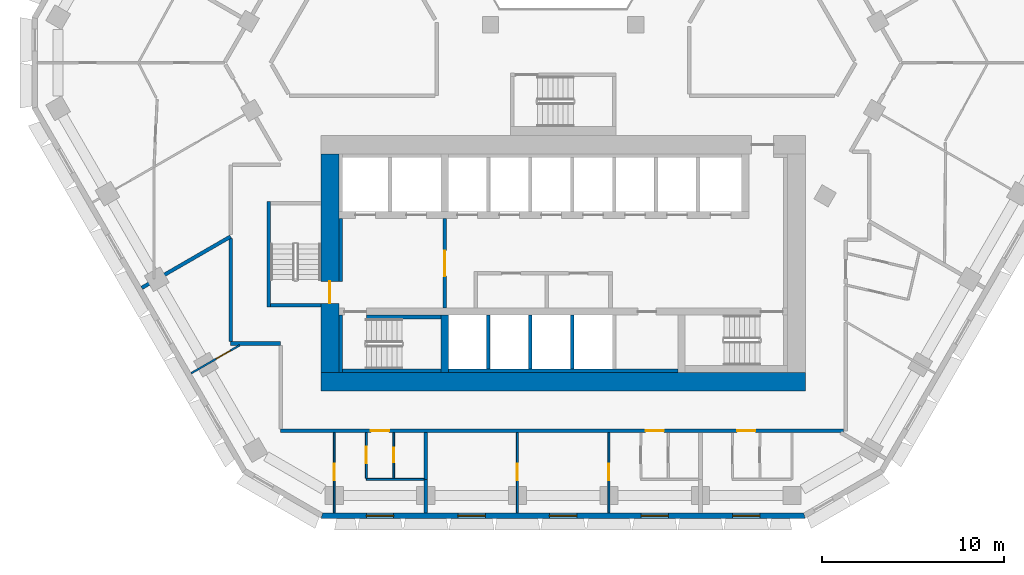
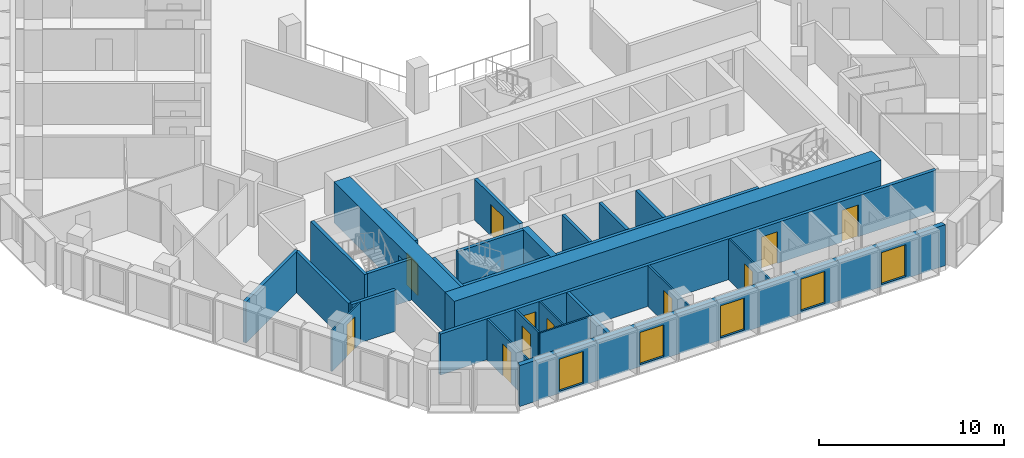
# One storey, part 3 of 15: 28 walls, 11 doors, 5 windows, 16 openings.
"""IFC4 building model written with IfcOpenShell, lengths in metres."""

from ifc_helpers import new_model, si_unit, direction, frame, frame_2d, origin, place, context, subcontext, project, spatial, polyline, rectangle, outline, extrude, material, layer, layer_set, type_object, element, fill, save


model = new_model("IFC4")

# Units and contexts
model_context = context("Model", 3, precision=1e-05, world=origin(), true_north=direction((0.0, 1.0)))
body_context = subcontext(model_context, "Body", "Model", "MODEL_VIEW")
ifc_project = project(units=[si_unit("LENGTHUNIT", "METRE"), si_unit("AREAUNIT", "SQUARE_METRE"), si_unit("VOLUMEUNIT", "CUBIC_METRE"), si_unit("PLANEANGLEUNIT", "RADIAN"), si_unit("MASSUNIT", "GRAM", prefix="KILO")], contexts=[model_context])

# Site, building, storey
site_placement = place(None, origin())
site = spatial("IfcSite", under=ifc_project, at=site_placement, CompositionType="ELEMENT")
building_placement = place(site_placement, origin())
building = spatial("IfcBuilding", under=site, at=building_placement, Name="Beryl Residences", CompositionType="ELEMENT")
storey_placement = place(building_placement, frame((0.0, 0.0, 72.0)))
storey = spatial("IfcBuildingStorey", under=building, at=storey_placement, Name="L21", CompositionType="ELEMENT", Elevation=72.0)

# Wall, openings, windows
ifc_material_1 = material(Name="Composite metal panel with mineral wool insulation")
ifc_layer_1 = layer(ifc_material_1, 0.300048828125)
ifc_layer_set_1 = layer_set([ifc_layer_1], Name="ES1 pale metal composite panel wall 300 mm")
wall_type_1 = type_object("IfcWallType", Name="ES1 pale metal composite panel wall 300 mm", PredefinedType="SOLIDWALL", material=ifc_layer_set_1)
wall_1_placement = place(storey_placement, frame((-13.279052734375, -25.85009765625, 0.0), z_axis=(0.0, 0.0, 1.0), x_axis=(1.0, 0.0, 0.0)))
wall_1 = element("IfcWall", 1, at=wall_1_placement, inside=storey, type_object=wall_type_1, Name="ES1 external wall L21 S", PredefinedType="SOLIDWALL", context=body_context, shape_type="SweptSolid", body=[
    extrude(outline(polyline([(0.0, -0.14990234375), (26.55810546875, -0.14990234375), (26.477783203125, 0.14990234375), (0.080322265625, 0.14990234375), (0.0, -0.14990234375)])), origin(), (0.0, 0.0, 1.0), 2.699951171875),
])
opening_1_placement = place(wall_1_placement, frame((2.48291015625, 0.0, 0.14990234375)))
opening_1 = element("IfcOpeningElement", 2, at=opening_1_placement, cuts=wall_1, Name="Opening W1", PredefinedType="OPENING", context=body_context, shape_type="SweptSolid", body=[
    extrude(rectangle(XDim=1.5, YDim=2.10009765625, at=frame_2d((0.75, 1.050048828125))), frame((0.0, 0.159912109375, 0.0), z_axis=(0.0, -1.0, 0.0), x_axis=(1.0, 0.0, 0.0)), (0.0, 0.0, 1.0), 0.320068359375),
])
opening_2_placement = place(wall_1_placement, frame((7.507080078125, 0.0, 0.14990234375)))
opening_2 = element("IfcOpeningElement", 3, at=opening_2_placement, cuts=wall_1, Name="Opening W1", PredefinedType="OPENING", context=body_context, shape_type="SweptSolid", body=[
    extrude(rectangle(XDim=1.5, YDim=2.10009765625, at=frame_2d((0.75, 1.050048828125))), frame((0.0, 0.159912109375, 0.0), z_axis=(0.0, -1.0, 0.0), x_axis=(1.0, 0.0, 0.0)), (0.0, 0.0, 1.0), 0.320068359375),
])
opening_3_placement = place(wall_1_placement, frame((12.529052734375, 0.0, 0.14990234375)))
opening_3 = element("IfcOpeningElement", 4, at=opening_3_placement, cuts=wall_1, Name="Opening W1", PredefinedType="OPENING", context=body_context, shape_type="SweptSolid", body=[
    extrude(rectangle(XDim=1.5, YDim=2.10009765625, at=frame_2d((0.75, 1.050048828125))), frame((0.0, 0.159912109375, 0.0), z_axis=(0.0, -1.0, 0.0), x_axis=(1.0, 0.0, 0.0)), (0.0, 0.0, 1.0), 0.320068359375),
])
opening_4_placement = place(wall_1_placement, frame((17.552978515625, 0.0, 0.14990234375)))
opening_4 = element("IfcOpeningElement", 5, at=opening_4_placement, cuts=wall_1, Name="Opening W1", PredefinedType="OPENING", context=body_context, shape_type="SweptSolid", body=[
    extrude(rectangle(XDim=1.5, YDim=2.10009765625, at=frame_2d((0.75, 1.050048828125))), frame((0.0, 0.159912109375, 0.0), z_axis=(0.0, -1.0, 0.0), x_axis=(1.0, 0.0, 0.0)), (0.0, 0.0, 1.0), 0.320068359375),
])
opening_5_placement = place(wall_1_placement, frame((22.574951171875, 0.0, 0.14990234375)))
opening_5 = element("IfcOpeningElement", 6, at=opening_5_placement, cuts=wall_1, Name="Opening W1", PredefinedType="OPENING", context=body_context, shape_type="SweptSolid", body=[
    extrude(rectangle(XDim=1.5, YDim=2.10009765625, at=frame_2d((0.75, 1.050048828125))), frame((0.0, 0.159912109375, 0.0), z_axis=(0.0, -1.0, 0.0), x_axis=(1.0, 0.0, 0.0)), (0.0, 0.0, 1.0), 0.320068359375),
])
ifc_material_2 = material(Name="Aluminium and clear glass", Category="aluminium")
window_type = type_object("IfcWindowType", Name="W1 cell window 1500 x 2100 mm", PartitioningType="SINGLE_PANEL", PredefinedType="WINDOW", material=ifc_material_2)
window_1_placement = place(opening_1_placement, origin())
window_1 = element("IfcWindow", 7, at=window_1_placement, inside=storey, type_object=window_type, Name="W1 window L21 S 2", OverallHeight=2.10009765625, OverallWidth=1.5, PartitioningType="SINGLE_PANEL", PredefinedType="WINDOW", context=body_context, shape_type="SweptSolid", body=[
    extrude(rectangle(XDim=1.5, YDim=2.10009765625, at=frame_2d((0.75, 1.050048828125))), frame((0.0, 0.030029296875, 0.0), z_axis=(0.0, -1.0, 0.0), x_axis=(1.0, 0.0, 0.0)), (0.0, 0.0, 1.0), 0.06005859375),
])
fill(opening_1, window_1)
window_2_placement = place(opening_2_placement, origin())
window_2 = element("IfcWindow", 8, at=window_2_placement, inside=storey, type_object=window_type, Name="W1 window L21 S 4", OverallHeight=2.10009765625, OverallWidth=1.5, PartitioningType="SINGLE_PANEL", PredefinedType="WINDOW", context=body_context, shape_type="SweptSolid", body=[
    extrude(rectangle(XDim=1.5, YDim=2.10009765625, at=frame_2d((0.75, 1.050048828125))), frame((0.0, 0.030029296875, 0.0), z_axis=(0.0, -1.0, 0.0), x_axis=(1.0, 0.0, 0.0)), (0.0, 0.0, 1.0), 0.06005859375),
])
fill(opening_2, window_2)
window_3_placement = place(opening_3_placement, origin())
window_3 = element("IfcWindow", 9, at=window_3_placement, inside=storey, type_object=window_type, Name="W1 window L21 S 6", OverallHeight=2.10009765625, OverallWidth=1.5, PartitioningType="SINGLE_PANEL", PredefinedType="WINDOW", context=body_context, shape_type="SweptSolid", body=[
    extrude(rectangle(XDim=1.5, YDim=2.10009765625, at=frame_2d((0.75, 1.050048828125))), frame((0.0, 0.030029296875, 0.0), z_axis=(0.0, -1.0, 0.0), x_axis=(1.0, 0.0, 0.0)), (0.0, 0.0, 1.0), 0.06005859375),
])
fill(opening_3, window_3)
window_4_placement = place(opening_4_placement, origin())
window_4 = element("IfcWindow", 10, at=window_4_placement, inside=storey, type_object=window_type, Name="W1 window L21 S 8", OverallHeight=2.10009765625, OverallWidth=1.5, PartitioningType="SINGLE_PANEL", PredefinedType="WINDOW", context=body_context, shape_type="SweptSolid", body=[
    extrude(rectangle(XDim=1.5, YDim=2.10009765625, at=frame_2d((0.75, 1.050048828125))), frame((0.0, 0.030029296875, 0.0), z_axis=(0.0, -1.0, 0.0), x_axis=(1.0, 0.0, 0.0)), (0.0, 0.0, 1.0), 0.06005859375),
])
fill(opening_4, window_4)
window_5_placement = place(opening_5_placement, origin())
window_5 = element("IfcWindow", 11, at=window_5_placement, inside=storey, type_object=window_type, Name="W1 window L21 S 10", OverallHeight=2.10009765625, OverallWidth=1.5, PartitioningType="SINGLE_PANEL", PredefinedType="WINDOW", context=body_context, shape_type="SweptSolid", body=[
    extrude(rectangle(XDim=1.5, YDim=2.10009765625, at=frame_2d((0.75, 1.050048828125))), frame((0.0, 0.030029296875, 0.0), z_axis=(0.0, -1.0, 0.0), x_axis=(1.0, 0.0, 0.0)), (0.0, 0.0, 1.0), 0.06005859375),
])
fill(opening_5, window_5)

# Wall, opening, door
ifc_material_3 = material(Name="Gypsum board partition on steel studs", Category="steel")
ifc_layer_2 = layer(ifc_material_3, 0.10009765625)
ifc_layer_set_2 = layer_set([ifc_layer_2], Name="PT1 partition 100 mm gypsum board on steel studs")
wall_type_2 = type_object("IfcWallType", Name="PT1 partition 100 mm gypsum board on steel studs", PredefinedType="PARTITIONING", material=ifc_layer_set_2)
wall_2_placement = place(storey_placement, frame((-10.799072265625, -21.300048828125, 0.0), z_axis=(0.0, 0.0, 1.0), x_axis=(0.0, -1.0, 0.0)))
wall_2 = element("IfcWall", 12, at=wall_2_placement, inside=storey, type_object=wall_type_2, Name="Wall PT1 L21 011", PredefinedType="PARTITIONING", context=body_context, shape_type="SweptSolid", body=[
    extrude(rectangle(XDim=2.509033203125, YDim=0.10009765625, at=frame_2d((1.25439453125, 0.0))), origin(), (0.0, 0.0, 1.0), 2.699951171875),
])
opening_6_placement = place(wall_2_placement, frame((0.780029296875, 0.0, 0.0)))
opening_6 = element("IfcOpeningElement", 13, at=opening_6_placement, cuts=wall_2, Name="Opening D0847", PredefinedType="OPENING", context=body_context, shape_type="SweptSolid", body=[
    extrude(rectangle(XDim=0.89990234375, YDim=2.10009765625, at=frame_2d((0.449951171875, 1.050048828125))), frame((0.0, 0.06005859375, 0.0), z_axis=(0.0, -1.0, 0.0), x_axis=(1.0, 0.0, 0.0)), (0.0, 0.0, 1.0), 0.1201171875),
])
ifc_material_4 = material(Name="Timber door leaf", Category="wood")
door_type_1 = type_object("IfcDoorType", Name="D2 room door 900 x 2100 mm", OperationType="SINGLE_SWING_LEFT", PredefinedType="DOOR", material=ifc_material_4)
door_1_placement = place(opening_6_placement, origin())
door_1 = element("IfcDoor", 14, at=door_1_placement, inside=storey, type_object=door_type_1, Name="Door D0847 L21 001", OperationType="SINGLE_SWING_LEFT", OverallHeight=2.10009765625, OverallWidth=0.89990234375, PredefinedType="DOOR", context=body_context, shape_type="SweptSolid", body=[
    extrude(rectangle(XDim=0.89990234375, YDim=2.10009765625, at=frame_2d((0.449951171875, 1.050048828125))), frame((0.0, 0.02490234375, 0.0), z_axis=(0.0, -1.0, 0.0), x_axis=(1.0, 0.0, 0.0)), (0.0, 0.0, 1.0), 0.050048828125),
])
fill(opening_6, door_1)

# Wall
wall_3_placement = place(storey_placement, frame((-10.798095703125, -23.860107421875, 0.0), z_axis=(0.0, 0.0, 1.0), x_axis=(1.0, 0.0, 0.0)))
element("IfcWall", 15, at=wall_3_placement, inside=storey, type_object=wall_type_2, Name="Wall PT1 L21 029", PredefinedType="PARTITIONING", context=body_context, shape_type="SweptSolid", body=[
    extrude(rectangle(XDim=3.1640625, YDim=0.10009765625, at=frame_2d((1.58203125, 0.0))), origin(), (0.0, 0.0, 1.0), 2.699951171875),
])

# Wall, opening, door
wall_4_placement = place(storey_placement, frame((2.511962890625, -25.699951171875, 0.0), z_axis=(0.0, 0.0, 1.0), x_axis=(0.0, 1.0, 0.0)))
wall_4 = element("IfcWall", 16, at=wall_4_placement, inside=storey, type_object=wall_type_2, Name="Wall PT1 L21 052", PredefinedType="PARTITIONING", context=body_context, shape_type="SweptSolid", body=[
    extrude(rectangle(XDim=4.39990234375, YDim=0.10009765625, at=frame_2d((2.199951171875, 0.0))), origin(), (0.0, 0.0, 1.0), 2.699951171875),
])
opening_7_placement = place(wall_4_placement, frame((1.800048828125, 0.0, 0.0)))
opening_7 = element("IfcOpeningElement", 17, at=opening_7_placement, cuts=wall_4, Name="Opening D0854", PredefinedType="OPENING", context=body_context, shape_type="SweptSolid", body=[
    extrude(rectangle(XDim=0.89990234375, YDim=2.10009765625, at=frame_2d((0.449951171875, 1.050048828125))), frame((0.0, 0.06005859375, 0.0), z_axis=(0.0, -1.0, 0.0), x_axis=(1.0, 0.0, 0.0)), (0.0, 0.0, 1.0), 0.1201171875),
])
door_2_placement = place(opening_7_placement, origin())
door_2 = element("IfcDoor", 18, at=door_2_placement, inside=storey, type_object=door_type_1, Name="Door D0854 L21 001", OperationType="SINGLE_SWING_RIGHT", OverallHeight=2.10009765625, OverallWidth=0.89990234375, PredefinedType="DOOR", context=body_context, shape_type="SweptSolid", body=[
    extrude(rectangle(XDim=0.89990234375, YDim=2.10009765625, at=frame_2d((0.449951171875, 1.050048828125))), frame((0.0, 0.02490234375, 0.0), z_axis=(0.0, -1.0, 0.0), x_axis=(1.0, 0.0, 0.0)), (0.0, 0.0, 1.0), 0.050048828125),
])
fill(opening_7, door_2)

wall_5_placement = place(storey_placement, frame((-9.2919921875, -23.81005859375, 0.0), z_axis=(0.0, 0.0, 1.0), x_axis=(0.0, 1.0, 0.0)))
wall_5 = element("IfcWall", 19, at=wall_5_placement, inside=storey, type_object=wall_type_2, Name="Wall PT1 L21 055", PredefinedType="PARTITIONING", context=body_context, shape_type="SweptSolid", body=[
    extrude(rectangle(XDim=2.510009765625, YDim=0.10009765625, at=frame_2d((1.2548828125, 0.0))), origin(), (0.0, 0.0, 1.0), 2.699951171875),
])
opening_8_placement = place(wall_5_placement, frame((0.8798828125, 0.0, 0.0)))
opening_8 = element("IfcOpeningElement", 20, at=opening_8_placement, cuts=wall_5, Name="Opening D0848", PredefinedType="OPENING", context=body_context, shape_type="SweptSolid", body=[
    extrude(rectangle(XDim=0.800048828125, YDim=2.10009765625, at=frame_2d((0.39990234375, 1.050048828125))), frame((0.0, 0.06005859375, 0.0), z_axis=(0.0, -1.0, 0.0), x_axis=(1.0, 0.0, 0.0)), (0.0, 0.0, 1.0), 0.1201171875),
])
ifc_material_5 = material(Name="Timber door leaf", Category="wood")
door_type_2 = type_object("IfcDoorType", Name="D3 bathroom door 800 x 2100 mm", OperationType="SINGLE_SWING_LEFT", PredefinedType="DOOR", material=ifc_material_5)
door_3_placement = place(opening_8_placement, origin())
door_3 = element("IfcDoor", 21, at=door_3_placement, inside=storey, type_object=door_type_2, Name="Door D0848 L21 001", OperationType="SINGLE_SWING_RIGHT", OverallHeight=2.10009765625, OverallWidth=0.800048828125, PredefinedType="DOOR", context=body_context, shape_type="SweptSolid", body=[
    extrude(rectangle(XDim=0.800048828125, YDim=2.10009765625, at=frame_2d((0.39990234375, 1.050048828125))), frame((0.0, 0.02490234375, 0.0), z_axis=(0.0, -1.0, 0.0), x_axis=(1.0, 0.0, 0.0)), (0.0, 0.0, 1.0), 0.050048828125),
])
fill(opening_8, door_3)

wall_6_placement = place(storey_placement, frame((-12.556884765625, -25.699951171875, 0.0), z_axis=(0.0, 0.0, 1.0), x_axis=(0.0, 1.0, 0.0)))
wall_6 = element("IfcWall", 22, at=wall_6_placement, inside=storey, type_object=wall_type_2, Name="Wall PT1 L21 057", PredefinedType="PARTITIONING", context=body_context, shape_type="SweptSolid", body=[
    extrude(rectangle(XDim=4.39990234375, YDim=0.10009765625, at=frame_2d((2.199951171875, 0.0))), origin(), (0.0, 0.0, 1.0), 2.699951171875),
])
opening_9_placement = place(wall_6_placement, frame((1.800048828125, 0.0, 0.0)))
opening_9 = element("IfcOpeningElement", 23, at=opening_9_placement, cuts=wall_6, Name="Opening D0849", PredefinedType="OPENING", context=body_context, shape_type="SweptSolid", body=[
    extrude(rectangle(XDim=0.89990234375, YDim=2.10009765625, at=frame_2d((0.449951171875, 1.050048828125))), frame((0.0, 0.06005859375, 0.0), z_axis=(0.0, -1.0, 0.0), x_axis=(1.0, 0.0, 0.0)), (0.0, 0.0, 1.0), 0.1201171875),
])
door_4_placement = place(opening_9_placement, origin())
door_4 = element("IfcDoor", 24, at=door_4_placement, inside=storey, type_object=door_type_1, Name="Door D0849 L21 001", OperationType="SINGLE_SWING_LEFT", OverallHeight=2.10009765625, OverallWidth=0.89990234375, PredefinedType="DOOR", context=body_context, shape_type="SweptSolid", body=[
    extrude(rectangle(XDim=0.89990234375, YDim=2.10009765625, at=frame_2d((0.449951171875, 1.050048828125))), frame((0.0, 0.02490234375, 0.0), z_axis=(0.0, -1.0, 0.0), x_axis=(1.0, 0.0, 0.0)), (0.0, 0.0, 1.0), 0.050048828125),
])
fill(opening_9, door_4)

wall_7_placement = place(storey_placement, frame((-2.510986328125, -25.699951171875, 0.0), z_axis=(0.0, 0.0, 1.0), x_axis=(0.0, 1.0, 0.0)))
wall_7 = element("IfcWall", 25, at=wall_7_placement, inside=storey, type_object=wall_type_2, Name="Wall PT1 L21 060", PredefinedType="PARTITIONING", context=body_context, shape_type="SweptSolid", body=[
    extrude(rectangle(XDim=4.39990234375, YDim=0.10009765625, at=frame_2d((2.199951171875, 0.0))), origin(), (0.0, 0.0, 1.0), 2.699951171875),
])
opening_10_placement = place(wall_7_placement, frame((1.800048828125, 0.0, 0.0)))
opening_10 = element("IfcOpeningElement", 26, at=opening_10_placement, cuts=wall_7, Name="Opening D0855", PredefinedType="OPENING", context=body_context, shape_type="SweptSolid", body=[
    extrude(rectangle(XDim=0.89990234375, YDim=2.10009765625, at=frame_2d((0.449951171875, 1.050048828125))), frame((0.0, 0.06005859375, 0.0), z_axis=(0.0, -1.0, 0.0), x_axis=(1.0, 0.0, 0.0)), (0.0, 0.0, 1.0), 0.1201171875),
])
door_5_placement = place(opening_10_placement, origin())
door_5 = element("IfcDoor", 27, at=door_5_placement, inside=storey, type_object=door_type_1, Name="Door D0855 L21 001", OperationType="SINGLE_SWING_LEFT", OverallHeight=2.10009765625, OverallWidth=0.89990234375, PredefinedType="DOOR", context=body_context, shape_type="SweptSolid", body=[
    extrude(rectangle(XDim=0.89990234375, YDim=2.10009765625, at=frame_2d((0.449951171875, 1.050048828125))), frame((0.0, 0.02490234375, 0.0), z_axis=(0.0, -1.0, 0.0), x_axis=(1.0, 0.0, 0.0)), (0.0, 0.0, 1.0), 0.050048828125),
])
fill(opening_10, door_5)

wall_8_placement = place(storey_placement, frame((-20.416015625, -18.0380859375, 0.0), z_axis=(0.0, 0.0, 1.0), x_axis=(0.866026989333, 0.499997253739, 0.0)))
wall_8 = element("IfcWall", 28, at=wall_8_placement, inside=storey, type_object=wall_type_2, Name="Wall PT1 L21 063", PredefinedType="PARTITIONING", context=body_context, shape_type="SweptSolid", body=[
    extrude(rectangle(XDim=3.076171875, YDim=0.10009765625, at=frame_2d((1.5380859375, 0.0))), origin(), (0.0, 0.0, 1.0), 2.699951171875),
])
opening_11_placement = place(wall_8_placement, frame((1.587890625, 0.0, 0.0)))
opening_11 = element("IfcOpeningElement", 29, at=opening_11_placement, cuts=wall_8, Name="Opening D0850", PredefinedType="OPENING", context=body_context, shape_type="SweptSolid", body=[
    extrude(rectangle(XDim=0.89990234375, YDim=2.10009765625, at=frame_2d((0.449951171875, 1.050048828125))), frame((0.0, 0.06005859375, 0.0), z_axis=(0.0, -1.0, 0.0), x_axis=(1.0, 0.0, 0.0)), (0.0, 0.0, 1.0), 0.1201171875),
])
door_6_placement = place(opening_11_placement, origin())
door_6 = element("IfcDoor", 30, at=door_6_placement, inside=storey, type_object=door_type_1, Name="Door D0850 L21 001", OperationType="SINGLE_SWING_RIGHT", OverallHeight=2.10009765625, OverallWidth=0.89990234375, PredefinedType="DOOR", context=body_context, shape_type="SweptSolid", body=[
    extrude(rectangle(XDim=0.89990234375, YDim=2.10009765625, at=frame_2d((0.449951171875, 1.050048828125))), frame((0.0, 0.02490234375, 0.0), z_axis=(0.0, -1.0, 0.0), x_axis=(1.0, 0.0, 0.0)), (0.0, 0.0, 1.0), 0.050048828125),
])
fill(opening_11, door_6)

# Wall
ifc_material_6 = material(Name="Concrete masonry", Category="masonry")
ifc_layer_3 = layer(ifc_material_6, 0.199951171875)
ifc_layer_set_3 = layer_set([ifc_layer_3], Name="PT13 lobby wall 200 mm")
wall_type_3 = type_object("IfcWallType", Name="PT13 lobby wall 200 mm", PredefinedType="PARTITIONING", material=ifc_layer_set_3)
wall_9_placement = place(storey_placement, frame((-12.199951171875, -13.0, 0.0), z_axis=(0.0, 0.0, 1.0), x_axis=(0.0, 1.0, 0.0)))
element("IfcWall", 31, at=wall_9_placement, inside=storey, type_object=wall_type_3, Name="Lobby wall 05", PredefinedType="PARTITIONING", context=body_context, shape_type="SweptSolid", body=[
    extrude(rectangle(XDim=3.449951171875, YDim=0.199951171875, at=frame_2d((1.72509765625, 0.0))), origin(), (0.0, 0.0, 1.0), 2.699951171875),
])

# Wall, opening, door
wall_10_placement = place(storey_placement, frame((-6.5, -14.449951171875, 0.0), z_axis=(0.0, 0.0, 1.0), x_axis=(0.0, 1.0, 0.0)))
wall_10 = element("IfcWall", 32, at=wall_10_placement, inside=storey, type_object=wall_type_3, Name="Lobby wall 11", PredefinedType="PARTITIONING", context=body_context, shape_type="SweptSolid", body=[
    extrude(rectangle(XDim=4.89990234375, YDim=0.199951171875, at=frame_2d((2.449951171875, 0.0))), origin(), (0.0, 0.0, 1.0), 2.699951171875),
])
opening_12_placement = place(wall_10_placement, frame((3.14990234375, 0.0, 0.0), z_axis=(0.0, 0.0, 1.0), x_axis=(-1.0, 0.0, 0.0)))
opening_12 = element("IfcOpeningElement", 33, at=opening_12_placement, cuts=wall_10, Name="Opening FD-FFL", PredefinedType="OPENING", context=body_context, shape_type="SweptSolid", body=[
    extrude(rectangle(XDim=1.39990234375, YDim=2.10009765625, at=frame_2d((0.699951171875, 1.050048828125))), frame((0.0, 0.10986328125, 0.0), z_axis=(0.0, -1.0, 0.0), x_axis=(1.0, 0.0, 0.0)), (0.0, 0.0, 1.0), 0.219970703125),
])
ifc_material_7 = material(Name="Steel door leaf in steel frame", Category="steel")
door_type_3 = type_object("IfcDoorType", Name="D5 lobby door 1400 x 2100 mm", OperationType="DOUBLE_DOOR_SINGLE_SWING", PredefinedType="DOOR", material=ifc_material_7)
door_7_placement = place(opening_12_placement, origin())
door_7 = element("IfcDoor", 34, at=door_7_placement, inside=storey, type_object=door_type_3, Name="Door FD-FFL L21 001", OperationType="DOUBLE_DOOR_SINGLE_SWING", OverallHeight=2.10009765625, OverallWidth=1.39990234375, PredefinedType="DOOR", context=body_context, shape_type="SweptSolid", body=[
    extrude(rectangle(XDim=1.39990234375, YDim=2.10009765625, at=frame_2d((0.699951171875, 1.050048828125))), frame((0.0, 0.02490234375, 0.0), z_axis=(0.0, -1.0, 0.0), x_axis=(1.0, 0.0, 0.0)), (0.0, 0.0, 1.0), 0.050048828125),
])
fill(opening_12, door_7)

# Walls
ifc_material_8 = material(Name="Acoustic double stud gypsum board wall")
ifc_layer_4 = layer(ifc_material_8, 0.199951171875)
ifc_layer_set_4 = layer_set([ifc_layer_4], Name="PT3 party wall 200 mm acoustic double stud")
wall_type_4 = type_object("IfcWallType", Name="PT3 party wall 200 mm acoustic double stud", PredefinedType="PARTITIONING", material=ifc_layer_set_4)
wall_11_placement = place(storey_placement, frame((-7.533935546875, -23.860107421875, 0.0), z_axis=(0.0, 0.0, 1.0), x_axis=(0.0, -1.0, 0.0)))
element("IfcWall", 35, at=wall_11_placement, inside=storey, type_object=wall_type_4, Name="Wall PT3 L21 001", PredefinedType="PARTITIONING", context=body_context, shape_type="SweptSolid", body=[
    extrude(rectangle(XDim=1.83984375, YDim=0.199951171875, at=frame_2d((0.919921875, 0.0))), origin(), (0.0, 0.0, 1.0), 2.699951171875),
])
wall_12_placement = place(storey_placement, frame((-7.533935546875, -23.860107421875, 0.0), z_axis=(0.0, 0.0, 1.0), x_axis=(0.0, 1.0, 0.0)))
element("IfcWall", 36, at=wall_12_placement, inside=storey, type_object=wall_type_4, Name="Wall PT3 L21 010", PredefinedType="PARTITIONING", context=body_context, shape_type="SweptSolid", body=[
    extrude(rectangle(XDim=2.56005859375, YDim=0.199951171875, at=frame_2d((1.280029296875, 0.0))), origin(), (0.0, 0.0, 1.0), 2.699951171875),
])
wall_13_placement = place(storey_placement, frame((-23.123046875, -13.35009765625, 0.0), z_axis=(0.0, 0.0, 1.0), x_axis=(0.86596737403, 0.500100497016, 0.0)))
element("IfcWall", 37, at=wall_13_placement, inside=storey, type_object=wall_type_4, Name="Wall PT3 L21 012", PredefinedType="PARTITIONING", context=body_context, shape_type="SweptSolid", body=[
    extrude(rectangle(XDim=5.627197265625, YDim=0.199951171875, at=frame_2d((2.8134765625, 0.0))), origin(), (0.0, 0.0, 1.0), 2.699951171875),
])
ifc_material_9 = material(Name="Double stud gypsum board wall")
ifc_layer_5 = layer(ifc_material_9, 0.199951171875)
ifc_layer_set_5 = layer_set([ifc_layer_5], Name="PT4 corridor wall 200 mm double stud")
wall_type_5 = type_object("IfcWallType", Name="PT4 corridor wall 200 mm double stud", PredefinedType="PARTITIONING", material=ifc_layer_set_5)
wall_14_placement = place(storey_placement, frame((-18.25, -10.652099609375, 0.0), z_axis=(0.0, 0.0, 1.0), x_axis=(0.0, -1.0, 0.0)))
element("IfcWall", 38, at=wall_14_placement, inside=storey, type_object=wall_type_5, Name="Wall PT4 L21 008", PredefinedType="PARTITIONING", context=body_context, shape_type="SweptSolid", body=[
    extrude(rectangle(XDim=5.64697265625, YDim=0.199951171875, at=frame_2d((2.823486328125, 0.0))), origin(), (0.0, 0.0, 1.0), 2.699951171875),
])
wall_15_placement = place(storey_placement, frame((-18.2490234375, -16.39990234375, 0.0), z_axis=(0.0, 0.0, 1.0), x_axis=(1.0, 0.0, 0.0)))
element("IfcWall", 39, at=wall_15_placement, inside=storey, type_object=wall_type_5, Name="Wall PT4 L21 016", PredefinedType="PARTITIONING", context=body_context, shape_type="SweptSolid", body=[
    extrude(rectangle(XDim=2.748046875, YDim=0.199951171875, at=frame_2d((1.3740234375, 0.0))), origin(), (0.0, 0.0, 1.0), 2.699951171875),
])

# Wall, openings, doors
wall_16_placement = place(storey_placement, frame((-15.4990234375, -21.199951171875, 0.0), z_axis=(0.0, 0.0, 1.0), x_axis=(1.0, 0.0, 0.0)))
wall_16 = element("IfcWall", 40, at=wall_16_placement, inside=storey, type_object=wall_type_5, Name="Wall PT4 L21 017", PredefinedType="PARTITIONING", context=body_context, shape_type="SweptSolid", body=[
    extrude(rectangle(XDim=30.89794921875, YDim=0.199951171875, at=frame_2d((15.448974609375, 0.0))), origin(), (0.0, 0.0, 1.0), 2.699951171875),
])
opening_13_placement = place(wall_16_placement, frame((4.9541015625, 0.0, 0.0)))
opening_13 = element("IfcOpeningElement", 41, at=opening_13_placement, cuts=wall_16, Name="Opening D0846", PredefinedType="OPENING", context=body_context, shape_type="SweptSolid", body=[
    extrude(rectangle(XDim=1.0, YDim=2.10009765625, at=frame_2d((0.5, 1.050048828125))), frame((0.0, 0.10986328125, 0.0), z_axis=(0.0, -1.0, 0.0), x_axis=(1.0, 0.0, 0.0)), (0.0, 0.0, 1.0), 0.219970703125),
])
opening_14_placement = place(wall_16_placement, frame((20.02294921875, 0.0, 0.0)))
opening_14 = element("IfcOpeningElement", 42, at=opening_14_placement, cuts=wall_16, Name="Opening D0851", PredefinedType="OPENING", context=body_context, shape_type="SweptSolid", body=[
    extrude(rectangle(XDim=1.0, YDim=2.10009765625, at=frame_2d((0.5, 1.050048828125))), frame((0.0, 0.10986328125, 0.0), z_axis=(0.0, -1.0, 0.0), x_axis=(1.0, 0.0, 0.0)), (0.0, 0.0, 1.0), 0.219970703125),
])
opening_15_placement = place(wall_16_placement, frame((25.0458984375, 0.0, 0.0)))
opening_15 = element("IfcOpeningElement", 43, at=opening_15_placement, cuts=wall_16, Name="Opening D0856", PredefinedType="OPENING", context=body_context, shape_type="SweptSolid", body=[
    extrude(rectangle(XDim=1.0, YDim=2.10009765625, at=frame_2d((0.5, 1.050048828125))), frame((0.0, 0.10986328125, 0.0), z_axis=(0.0, -1.0, 0.0), x_axis=(1.0, 0.0, 0.0)), (0.0, 0.0, 1.0), 0.219970703125),
])
ifc_material_10 = material(Name="Timber door leaf", Category="wood")
door_type_4 = type_object("IfcDoorType", Name="D1 flat entrance door 1000 x 2100 mm", OperationType="SINGLE_SWING_LEFT", PredefinedType="DOOR", material=ifc_material_10)
door_8_placement = place(opening_13_placement, origin())
door_8 = element("IfcDoor", 44, at=door_8_placement, inside=storey, type_object=door_type_4, Name="Door D0846 L21 001", OperationType="SINGLE_SWING_RIGHT", OverallHeight=2.10009765625, OverallWidth=1.0, PredefinedType="DOOR", context=body_context, shape_type="SweptSolid", body=[
    extrude(rectangle(XDim=1.0, YDim=2.10009765625, at=frame_2d((0.5, 1.050048828125))), frame((0.0, 0.02490234375, 0.0), z_axis=(0.0, -1.0, 0.0), x_axis=(1.0, 0.0, 0.0)), (0.0, 0.0, 1.0), 0.050048828125),
])
fill(opening_13, door_8)
door_9_placement = place(opening_14_placement, origin())
door_9 = element("IfcDoor", 45, at=door_9_placement, inside=storey, type_object=door_type_4, Name="Door D0851 L21 001", OperationType="SINGLE_SWING_LEFT", OverallHeight=2.10009765625, OverallWidth=1.0, PredefinedType="DOOR", context=body_context, shape_type="SweptSolid", body=[
    extrude(rectangle(XDim=1.0, YDim=2.10009765625, at=frame_2d((0.5, 1.050048828125))), frame((0.0, 0.02490234375, 0.0), z_axis=(0.0, -1.0, 0.0), x_axis=(1.0, 0.0, 0.0)), (0.0, 0.0, 1.0), 0.050048828125),
])
fill(opening_14, door_9)
door_10_placement = place(opening_15_placement, origin())
door_10 = element("IfcDoor", 46, at=door_10_placement, inside=storey, type_object=door_type_4, Name="Door D0856 L21 001", OperationType="SINGLE_SWING_RIGHT", OverallHeight=2.10009765625, OverallWidth=1.0, PredefinedType="DOOR", context=body_context, shape_type="SweptSolid", body=[
    extrude(rectangle(XDim=1.0, YDim=2.10009765625, at=frame_2d((0.5, 1.050048828125))), frame((0.0, 0.02490234375, 0.0), z_axis=(0.0, -1.0, 0.0), x_axis=(1.0, 0.0, 0.0)), (0.0, 0.0, 1.0), 0.050048828125),
])
fill(opening_15, door_10)

# Walls
ifc_material_11 = material(Name="Concrete C40/50", Category="concrete")
ifc_layer_6 = layer(ifc_material_11, 0.199951171875)
ifc_layer_set_6 = layer_set([ifc_layer_6], Name="PT5 stair enclosure wall 200 mm reinforced concrete C40/50")
wall_type_6 = type_object("IfcWallType", Name="PT5 stair enclosure wall 200 mm reinforced concrete C40/50", PredefinedType="SOLIDWALL", material=ifc_layer_set_6)
wall_17_placement = place(storey_placement, frame((-16.14990234375, -14.39990234375, 0.0), z_axis=(0.0, 0.0, 1.0), x_axis=(0.0, 1.0, 0.0)))
element("IfcWall", 47, at=wall_17_placement, inside=storey, type_object=wall_type_6, Name="Stair wall 01", PredefinedType="SOLIDWALL", context=body_context, shape_type="SweptSolid", body=[
    extrude(rectangle(XDim=5.7998046875, YDim=0.199951171875, at=frame_2d((2.89990234375, 0.0))), origin(), (0.0, 0.0, 1.0), 2.699951171875),
])
wall_18_placement = place(storey_placement, frame((-16.050048828125, -14.300048828125, 0.0), z_axis=(0.0, 0.0, 1.0), x_axis=(1.0, 0.0, 0.0)))
element("IfcWall", 48, at=wall_18_placement, inside=storey, type_object=wall_type_6, Name="Stair wall 02", PredefinedType="SOLIDWALL", context=body_context, shape_type="SweptSolid", body=[
    extrude(rectangle(XDim=2.75, YDim=0.199951171875, at=frame_2d((1.375, 0.0))), origin(), (0.0, 0.0, 1.0), 2.699951171875),
])
wall_19_placement = place(storey_placement, frame((-12.199951171875, -18.0, 0.0), z_axis=(0.0, 0.0, 1.0), x_axis=(0.0, 1.0, 0.0)))
element("IfcWall", 49, at=wall_19_placement, inside=storey, type_object=wall_type_6, Name="Stair wall 04", PredefinedType="SOLIDWALL", context=body_context, shape_type="SweptSolid", body=[
    extrude(rectangle(XDim=3.14990234375, YDim=0.199951171875, at=frame_2d((1.574951171875, 0.0))), origin(), (0.0, 0.0, 1.0), 2.699951171875),
])
wall_20_placement = place(storey_placement, frame((-12.10009765625, -17.89990234375, 0.0), z_axis=(0.0, 0.0, 1.0), x_axis=(1.0, 0.0, 0.0)))
element("IfcWall", 50, at=wall_20_placement, inside=storey, type_object=wall_type_6, Name="Stair wall 07", PredefinedType="SOLIDWALL", context=body_context, shape_type="SweptSolid", body=[
    extrude(rectangle(XDim=5.400146484375, YDim=0.199951171875, at=frame_2d((2.7001953125, 0.0))), origin(), (0.0, 0.0, 1.0), 2.699951171875),
])
wall_21_placement = place(storey_placement, frame((-10.800048828125, -14.949951171875, 0.0), z_axis=(0.0, 0.0, 1.0), x_axis=(1.0, 0.0, 0.0)))
element("IfcWall", 51, at=wall_21_placement, inside=storey, type_object=wall_type_6, Name="Stair wall 09", PredefinedType="SOLIDWALL", context=body_context, shape_type="SweptSolid", body=[
    extrude(rectangle(XDim=4.10009765625, YDim=0.199951171875, at=frame_2d((2.050048828125, 0.0))), origin(), (0.0, 0.0, 1.0), 2.699951171875),
])
ifc_material_12 = material(Name="Concrete C40/50", Category="concrete")
ifc_layer_7 = layer(ifc_material_12, 0.199951171875)
ifc_layer_set_7 = layer_set([ifc_layer_7], Name="PT6 lift shaft wall 200 mm reinforced concrete C40/50")
wall_type_7 = type_object("IfcWallType", Name="PT6 lift shaft wall 200 mm reinforced concrete C40/50", PredefinedType="SOLIDWALL", material=ifc_layer_set_7)
wall_22_placement = place(storey_placement, frame((-6.300048828125, -17.89990234375, 0.0), z_axis=(0.0, 0.0, 1.0), x_axis=(1.0, 0.0, 0.0)))
element("IfcWall", 52, at=wall_22_placement, inside=storey, type_object=wall_type_7, Name="Lift shaft wall 12", PredefinedType="SOLIDWALL", context=body_context, shape_type="SweptSolid", body=[
    extrude(rectangle(XDim=12.60009765625, YDim=0.199951171875, at=frame_2d((6.300048828125, 0.0))), origin(), (0.0, 0.0, 1.0), 2.699951171875),
])
for number, where, z_axis, x_axis, name in (
    (53, (-4.10009765625, -17.800048828125, 0.0), (0.0, 0.0, 1.0), (0.0, 1.0, 0.0), "Lift shaft wall 16"),
    (54, (-1.800048828125, -17.800048828125, 0.0), (0.0, 0.0, 1.0), (0.0, 1.0, 0.0), "Lift shaft wall 18"),
    (55, (0.5, -17.800048828125, 0.0), (0.0, 0.0, 1.0), (0.0, 1.0, 0.0), "Lift shaft wall 21"),
):
    element("IfcWall", number, at=place(storey_placement, frame(where, z_axis=z_axis, x_axis=x_axis)), inside=storey, type_object=wall_type_7, Name=name, PredefinedType="SOLIDWALL", context=body_context, shape_type="SweptSolid", body=[
        extrude(rectangle(XDim=2.949951171875, YDim=0.199951171875, at=frame_2d((1.47509765625, 0.0))), origin(), (0.0, 0.0, 1.0), 2.699951171875),
    ])
ifc_material_13 = material(Name="Concrete C70/85", Category="concrete")
ifc_layer_8 = layer(ifc_material_13, 1.0)
ifc_layer_set_8 = layer_set([ifc_layer_8], Name="SW2 core outer wall 1000 mm C70/85")
wall_type_8 = type_object("IfcWallType", Name="SW2 core outer wall 1000 mm C70/85", PredefinedType="SHEAR", material=ifc_layer_set_8)
wall_23_placement = place(storey_placement, frame((-13.300048828125, -18.5, 0.0), z_axis=(0.0, 0.0, 1.0), x_axis=(1.0, 0.0, 0.0)))
element("IfcWall", 56, at=wall_23_placement, inside=storey, type_object=wall_type_8, Name="Core wall S L21", PredefinedType="SHEAR", context=body_context, shape_type="SweptSolid", body=[
    extrude(rectangle(XDim=26.60009765625, YDim=1.0, at=frame_2d((13.300048828125, 0.0))), origin(), (0.0, 0.0, 1.0), 2.699951171875),
])

# Wall, opening, door
wall_24_placement = place(storey_placement, frame((-12.800048828125, -18.0, 0.0), z_axis=(0.0, 0.0, 1.0), x_axis=(0.0, 1.0, 0.0)))
wall_24 = element("IfcWall", 57, at=wall_24_placement, inside=storey, type_object=wall_type_8, Name="Core wall W L21", PredefinedType="SHEAR", context=body_context, shape_type="SweptSolid", body=[
    extrude(rectangle(XDim=12.0, YDim=1.0, at=frame_2d((6.0, 0.0))), origin(), (0.0, 0.0, 1.0), 2.699951171875),
])
opening_16_placement = place(wall_24_placement, frame((3.800048828125, 0.0, 0.0)))
opening_16 = element("IfcOpeningElement", 58, at=opening_16_placement, cuts=wall_24, Name="Opening SD-2", PredefinedType="OPENING", context=body_context, shape_type="SweptSolid", body=[
    extrude(rectangle(XDim=1.199951171875, YDim=2.10009765625, at=frame_2d((0.60009765625, 1.050048828125))), frame((0.0, 0.510009765625, 0.0), z_axis=(0.0, -1.0, 0.0), x_axis=(1.0, 0.0, 0.0)), (0.0, 0.0, 1.0), 1.02001953125),
])
ifc_material_14 = material(Name="Steel door leaf in steel frame", Category="steel")
door_type_5 = type_object("IfcDoorType", Name="D4 stair door 1200 x 2100 mm", OperationType="SINGLE_SWING_LEFT", PredefinedType="DOOR", material=ifc_material_14)
door_11_placement = place(opening_16_placement, origin())
door_11 = element("IfcDoor", 59, at=door_11_placement, inside=storey, type_object=door_type_5, Name="Door SD-2 L21 001", OperationType="SINGLE_SWING_RIGHT", OverallHeight=2.10009765625, OverallWidth=1.199951171875, PredefinedType="DOOR", context=body_context, shape_type="SweptSolid", body=[
    extrude(rectangle(XDim=1.199951171875, YDim=2.10009765625, at=frame_2d((0.60009765625, 1.050048828125))), frame((0.0, 0.02490234375, 0.0), z_axis=(0.0, -1.0, 0.0), x_axis=(1.0, 0.0, 0.0)), (0.0, 0.0, 1.0), 0.050048828125),
])
fill(opening_16, door_11)

# Wall
ifc_material_15 = material(Name="Concrete C70/85", Category="concrete")
ifc_layer_9 = layer(ifc_material_15, 0.39990234375)
ifc_layer_set_9 = layer_set([ifc_layer_9], Name="SW7 core internal wall 400 mm C70/85")
wall_type_9 = type_object("IfcWallType", Name="SW7 core internal wall 400 mm C70/85", PredefinedType="SHEAR", material=ifc_layer_set_9)
wall_25_placement = place(storey_placement, frame((-6.5, -18.0, 0.0), z_axis=(0.0, 0.0, 1.0), x_axis=(0.0, 1.0, 0.0)))
element("IfcWall", 60, at=wall_25_placement, inside=storey, type_object=wall_type_9, Name="Core wall XS1 L21", PredefinedType="SHEAR", context=body_context, shape_type="SweptSolid", body=[
    extrude(rectangle(XDim=3.14990234375, YDim=0.39990234375, at=frame_2d((1.574951171875, 0.0))), origin(), (0.0, 0.0, 1.0), 2.699951171875),
])

save(model, "model.ifc")
